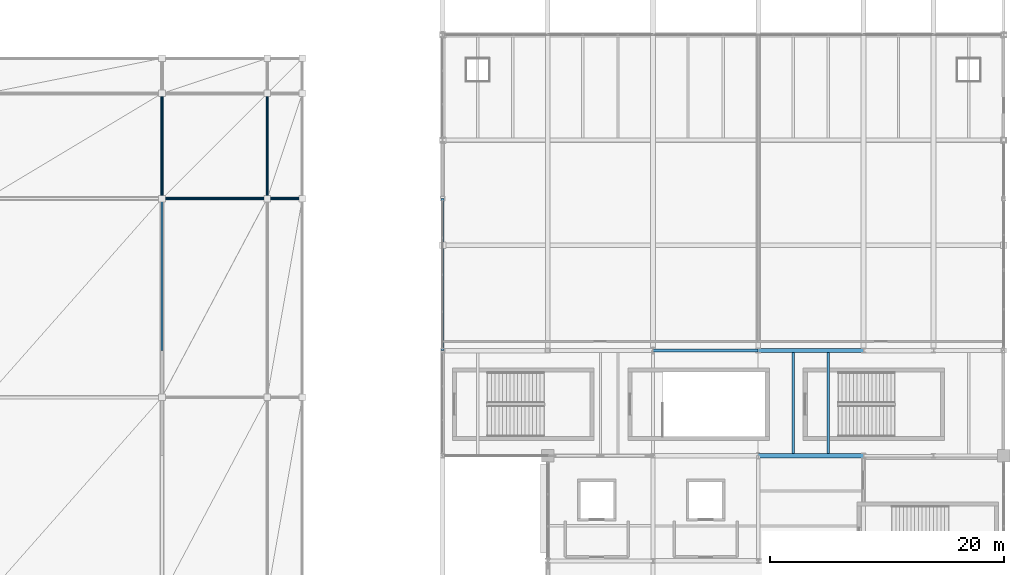
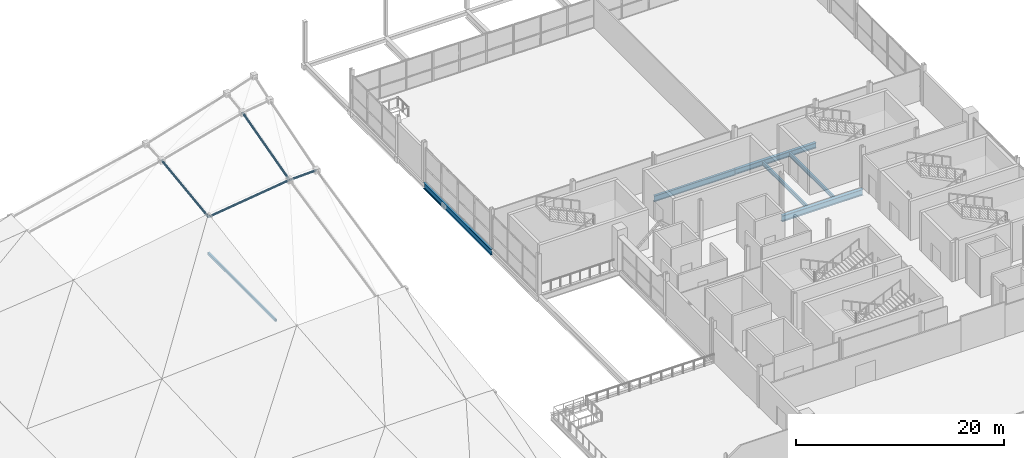
# One storey, part 28 of 69: 7 beams, 4 members.
"""IFC4 building model written with IfcOpenShell, lengths in metres."""

from ifc_helpers import new_model, si_unit, direction, frame, origin, origin_2d, place, context, subcontext, project, spatial, hollow_rectangle, hollow_circle, i_section, extrude, material, material_profile, profile_set, type_object, element, save


model = new_model("IFC4")

# Units and contexts
model_context = context("Model", 3, precision=1e-05, world=origin(), true_north=direction((0.0, 1.0)))
body_context = subcontext(model_context, "Body", "Model", "MODEL_VIEW")
ifc_project = project(units=[si_unit("LENGTHUNIT", "METRE"), si_unit("AREAUNIT", "SQUARE_METRE"), si_unit("VOLUMEUNIT", "CUBIC_METRE"), si_unit("PLANEANGLEUNIT", "RADIAN"), si_unit("MASSUNIT", "GRAM", prefix="KILO")], contexts=[model_context])

# Site, building, storey
site_placement = place(None, origin())
site = spatial("IfcSite", under=ifc_project, at=site_placement, CompositionType="ELEMENT")
building_placement = place(site_placement, origin())
building = spatial("IfcBuilding", under=site, at=building_placement, Name="Qamarlyn Nura Convention Centre", CompositionType="ELEMENT")
storey_placement = place(building_placement, frame((0.0, 0.0, 15.60009765625)))
storey = spatial("IfcBuildingStorey", under=building, at=storey_placement, Name="L03", CompositionType="ELEMENT", Elevation=15.60009765625)

# Beams
ifc_material_1 = material(Name="Steel ASTM A992", Category="steel")
ifc_material_profile_1 = material_profile(ifc_material_1, i_section(OverallWidth=0.323974609375, OverallDepth=0.611083984375, WebThickness=0.0126953125, FlangeThickness=0.01904296875, FilletRadius=0.01611328125, at=origin_2d()), Name="W610X155")
ifc_profile_set_1 = profile_set([ifc_material_profile_1], Name="Steel ASTM A992")
beam_type_1 = type_object("IfcBeamType", Name="BM-GIRD-610", PredefinedType="BEAM", material=ifc_profile_set_1)
beam_1_placement = place(storey_placement, frame((171.0, 90.0, -0.505615234375), z_axis=(1.0, 0.0, 0.0), x_axis=(0.0, 1.0, 0.0)))
element("IfcBeam", 1, at=beam_1_placement, inside=storey, type_object=beam_type_1, Name="L03 girder L 15-16", PredefinedType="BEAM", context=body_context, shape_type="SweptSolid", body=[
    extrude(i_section(OverallWidth=0.323974609375, OverallDepth=0.611083984375, WebThickness=0.0126953125, FlangeThickness=0.01904296875, FilletRadius=0.01611328125, at=origin_2d()), origin(), (0.0, 0.0, 1.0), 9.0),
])
ifc_material_profile_2 = material_profile(ifc_material_1, i_section(OverallWidth=0.35498046875, OverallDepth=0.695068359375, WebThickness=0.015380859375, FlangeThickness=0.02490234375, FilletRadius=0.01806640625, at=origin_2d()), Name="W690X217")
ifc_profile_set_2 = profile_set([ifc_material_profile_2], Name="Steel ASTM A992")
beam_type_2 = type_object("IfcBeamType", Name="BM-GIRD-690A", PredefinedType="BEAM", material=ifc_profile_set_2)
beam_2_placement = place(storey_placement, frame((171.0, 81.0, -0.547607421875), z_axis=(1.0, 0.0, 0.0), x_axis=(0.0, 1.0, 0.0)))
element("IfcBeam", 2, at=beam_2_placement, inside=storey, type_object=beam_type_2, Name="L03 girder K 15-16", PredefinedType="BEAM", context=body_context, shape_type="SweptSolid", body=[
    extrude(i_section(OverallWidth=0.35498046875, OverallDepth=0.695068359375, WebThickness=0.015380859375, FlangeThickness=0.02490234375, FilletRadius=0.01806640625, at=origin_2d()), origin(), (0.0, 0.0, 1.0), 9.0),
])
ifc_material_profile_3 = material_profile(ifc_material_1, i_section(OverallWidth=0.25390625, OverallDepth=0.68408203125, WebThickness=0.012451171875, FlangeThickness=0.01904296875, FilletRadius=0.01806640625, at=origin_2d()), Name="W690X140")
ifc_profile_set_3 = profile_set([ifc_material_profile_3], Name="Steel ASTM A992")
beam_type_3 = type_object("IfcBeamType", Name="BM-GIRD-690B", PredefinedType="BEAM", material=ifc_profile_set_3)
beam_3_placement = place(storey_placement, frame((162.0, 90.0, -0.5419921875), z_axis=(1.0, 0.0, 0.0), x_axis=(0.0, 1.0, 0.0)))
element("IfcBeam", 3, at=beam_3_placement, inside=storey, type_object=beam_type_3, Name="L03 girder L 14-15", PredefinedType="BEAM", context=body_context, shape_type="SweptSolid", body=[
    extrude(i_section(OverallWidth=0.25390625, OverallDepth=0.68408203125, WebThickness=0.012451171875, FlangeThickness=0.01904296875, FilletRadius=0.01806640625, at=origin_2d()), origin(), (0.0, 0.0, 1.0), 9.0),
])
beam_4_placement = place(storey_placement, frame((144.0, 90.0, -0.5419921875), z_axis=(0.0, 1.0, 0.0), x_axis=(-1.0, 0.0, 0.0)))
element("IfcBeam", 4, at=beam_4_placement, inside=storey, type_object=beam_type_3, Name="L03 girder 12 L-M", PredefinedType="BEAM", context=body_context, shape_type="SweptSolid", body=[
    extrude(i_section(OverallWidth=0.25390625, OverallDepth=0.68408203125, WebThickness=0.012451171875, FlangeThickness=0.01904296875, FilletRadius=0.01806640625, at=origin_2d()), origin(), (0.0, 0.0, 1.0), 13.0),
])
ifc_material_profile_4 = material_profile(ifc_material_1, i_section(OverallWidth=0.18994140625, OverallDepth=0.45703125, WebThickness=0.009033203125, FlangeThickness=0.014404296875, FilletRadius=0.012939453125, at=origin_2d()), Name="W460X74")
ifc_profile_set_4 = profile_set([ifc_material_profile_4], Name="Steel ASTM A992")
beam_type_4 = type_object("IfcBeamType", Name="BM-JOIST-460", PredefinedType="JOIST", material=ifc_profile_set_4)
for number, where, z_axis, x_axis, name in (
    (5, (174.0, 81.177490234375, -0.4287109375), (0.0, 1.0, 0.0), (-1.0, 0.0, 0.0), "L03 secondary joist 15-16/K-L-38"),
    (6, (177.0, 81.177490234375, -0.4287109375), (0.0, 1.0, 0.0), (-1.0, 0.0, 0.0), "L03 secondary joist 15-16/K-L-39"),
):
    element("IfcBeam", number, at=place(storey_placement, frame(where, z_axis=z_axis, x_axis=x_axis)), inside=storey, type_object=beam_type_4, Name=name, PredefinedType="JOIST", context=body_context, shape_type="SweptSolid", body=[
        extrude(i_section(OverallWidth=0.18994140625, OverallDepth=0.45703125, WebThickness=0.009033203125, FlangeThickness=0.014404296875, FilletRadius=0.012939453125, at=origin_2d()), origin(), (0.0, 0.0, 1.0), 8.660400390625),
    ])
ifc_material_2 = material(Name="Steel ASTM A500 Grade C", Category="steel")
ifc_material_profile_5 = material_profile(ifc_material_2, hollow_rectangle(XDim=0.199951171875, YDim=0.300048828125, WallThickness=0.012451171875, InnerFilletRadius=0.012451171875, OuterFilletRadius=0.02490234375, at=origin_2d()), Name="HSS300X200X12.5")
ifc_profile_set_5 = profile_set([ifc_material_profile_5], Name="Steel ASTM A500 Grade C")
beam_type_5 = type_object("IfcBeamType", Name="BM-SPAN-HSS", PredefinedType="SPANDREL", material=ifc_profile_set_5)
beam_5_placement = place(storey_placement, frame((120.0, 90.0, -0.150146484375), z_axis=(0.0, 1.0, 0.0), x_axis=(-1.0, 0.0, 0.0)))
element("IfcBeam", 7, at=beam_5_placement, inside=storey, type_object=beam_type_5, Name="L03 girder 9 L-M", PredefinedType="SPANDREL", context=body_context, shape_type="SweptSolid", body=[
    extrude(hollow_rectangle(XDim=0.199951171875, YDim=0.300048828125, WallThickness=0.012451171875, InnerFilletRadius=0.012451171875, OuterFilletRadius=0.02490234375, at=origin_2d()), origin(), (0.0, 0.0, 1.0), 13.0),
])

# Members
ifc_material_3 = material(Name="Pearl-white PVDF steel ASTM A500 Grade C", Category="steel")
ifc_material_profile_6 = material_profile(ifc_material_3, hollow_circle(Radius=0.122314453125, WallThickness=0.010009765625, at=origin_2d()), Name="CHS244.5X10")
ifc_profile_set_6 = profile_set([ifc_material_profile_6], Name="Pearl-white PVDF steel ASTM A500 Grade C")
member_type = type_object("IfcMemberType", Name="SF-TC-EAVE", PredefinedType="CHORD", material=ifc_profile_set_6)
member_1_placement = place(storey_placement, frame((120.0, 103.0, 4.114013671875), z_axis=(0.991347974495, 0.0, 0.131260022339), x_axis=(0.0, 1.0, 0.0)))
element("IfcMember", 8, at=member_1_placement, inside=storey, type_object=member_type, Name="ROOF TRUSS space frame top chord X10-7", PredefinedType="CHORD", context=body_context, shape_type="SweptSolid", body=[
    extrude(hollow_circle(Radius=0.122314453125, WallThickness=0.010009765625, at=origin_2d()), origin(), (0.0, 0.0, 1.0), 9.07861328125),
])
member_2_placement = place(storey_placement, frame((129.0, 103.0, 5.3056640625), z_axis=(0.999427439813, 0.0, 0.033834783119), x_axis=(0.0, 1.0, 0.0)))
element("IfcMember", 9, at=member_2_placement, inside=storey, type_object=member_type, Name="ROOF TRUSS space frame top chord X11-7", PredefinedType="CHORD", context=body_context, shape_type="SweptSolid", body=[
    extrude(hollow_circle(Radius=0.122314453125, WallThickness=0.010009765625, at=origin_2d()), origin(), (0.0, 0.0, 1.0), 3.001708984375),
])
member_3_placement = place(storey_placement, frame((120.0, 103.0, 4.114013671875), z_axis=(0.0, 0.991347974495, 0.131260022339), x_axis=(-1.0, 0.0, 0.0)))
element("IfcMember", 10, at=member_3_placement, inside=storey, type_object=member_type, Name="ROOF TRUSS space frame top chord Y10-7", PredefinedType="CHORD", context=body_context, shape_type="SweptSolid", body=[
    extrude(hollow_circle(Radius=0.122314453125, WallThickness=0.010009765625, at=origin_2d()), origin(), (0.0, 0.0, 1.0), 9.07861328125),
])
member_4_placement = place(storey_placement, frame((129.0, 103.0, 5.3056640625), z_axis=(0.0, 0.965021310393, 0.262171452463), x_axis=(-1.0, 0.0, 0.0)))
element("IfcMember", 11, at=member_4_placement, inside=storey, type_object=member_type, Name="ROOF TRUSS space frame top chord Y11-7", PredefinedType="CHORD", context=body_context, shape_type="SweptSolid", body=[
    extrude(hollow_circle(Radius=0.122314453125, WallThickness=0.010009765625, at=origin_2d()), origin(), (0.0, 0.0, 1.0), 9.326171875),
])

save(model, "model.ifc")
